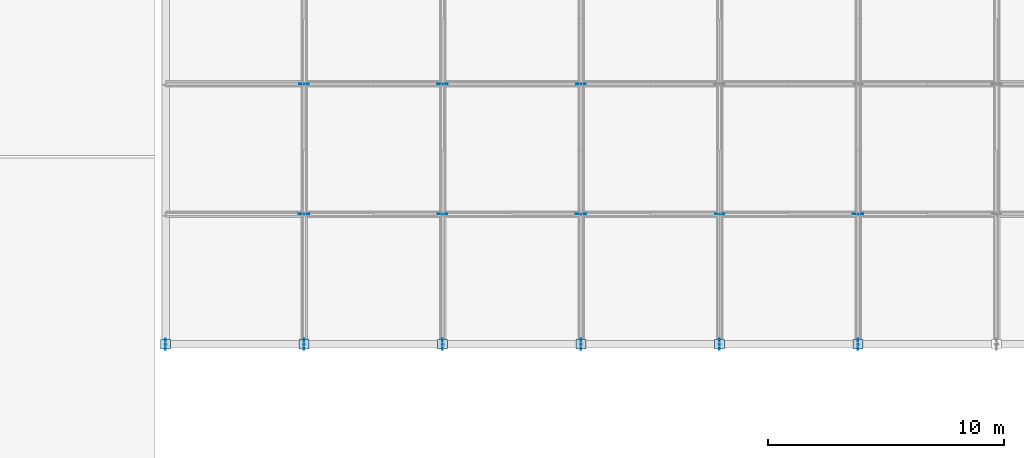
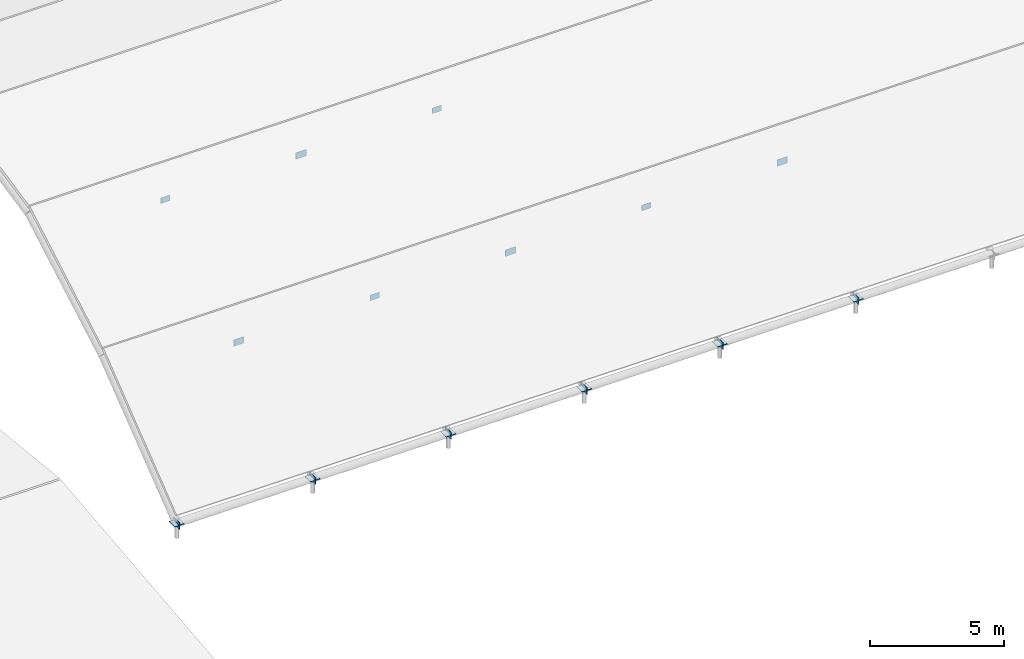
# One storey, part 77 of 82: 20 plates.
"""IFC4 building model written with IfcOpenShell, lengths in metres."""

import ifcopenshell
import ifcopenshell.guid

model = None  # the IFC model being written
_history = None  # IfcOwnerHistory: only IFC2X3 demands one
_inside = {}  # id of a spatial element -> (the spatial element, [elements in it])
_under = {}  # id of a project, library or spatial element -> (it, [spatial elements below it])
_declared = {}  # id of a project -> (the project, [libraries it declares])
_typed = {}  # id of a type object -> (the type object, [elements of that type])
_made_of = {}  # id of a material, layer set ... -> (it, [elements and type objects made of it])


def new_model(schema):
    """Start an empty IFC model of exactly this schema.

    Asked for "IFC4X3", IfcOpenShell would pick the latest addendum, in which some entities
    have other attributes; the version numbers below select the first issue.
    IFC2X3 requires an IfcOwnerHistory on every rooted entity: one is made here for all.
    """
    global model, _history
    if schema == "IFC4X3":
        model = ifcopenshell.file(schema_version=(4, 3, 0, 0))
    else:
        model = ifcopenshell.file(schema=schema)
    _inside.clear()
    _under.clear()
    _declared.clear()
    _typed.clear()
    _made_of.clear()
    _history = None
    if model.schema == "IFC2X3":
        org = make("IfcOrganization", Name="unknown")
        user = make(
            "IfcPersonAndOrganization",
            ThePerson=make("IfcPerson", FamilyName="unknown"),
            TheOrganization=org,
        )
        app = make(
            "IfcApplication",
            ApplicationDeveloper=org,
            Version="unknown",
            ApplicationFullName="unknown",
            ApplicationIdentifier="unknown",
        )
        _history = make(
            "IfcOwnerHistory",
            OwningUser=user,
            OwningApplication=app,
            ChangeAction="ADDED",
            CreationDate=0,
        )
    return model


def make(cls, **values):
    """One entity of the class cls with the attributes given. An attribute that is None is left unset."""
    return model.create_entity(
        cls, **{name: value for name, value in values.items() if value is not None}
    )


def rooted(cls, **values):
    """An entity with a GlobalId (a new one), such as an element, a storey or a relation."""
    return make(cls, GlobalId=ifcopenshell.guid.new(), OwnerHistory=_history, **values)


def si_unit(unit_type, name, prefix=None):
    """IfcSIUnit, for example si_unit("LENGTHUNIT", "METRE", prefix="MILLI")."""
    return make("IfcSIUnit", UnitType=unit_type, Prefix=prefix, Name=name)


def assignment(units):
    """IfcUnitAssignment: the units of a project."""
    return None if units is None else make("IfcUnitAssignment", Units=units)


def point(xyz):
    """IfcCartesianPoint."""
    return None if xyz is None else make("IfcCartesianPoint", Coordinates=xyz)


def direction(xyz):
    """IfcDirection."""
    return None if xyz is None else make("IfcDirection", DirectionRatios=xyz)


def frame(location, z_axis=None, x_axis=None):
    """IfcAxis2Placement3D, a coordinate frame: its origin and axes. An axis left out is left unset."""
    return make(
        "IfcAxis2Placement3D",
        Location=point(location),
        Axis=direction(z_axis),
        RefDirection=direction(x_axis),
    )


def frame_2d(location, x_axis=None):
    """IfcAxis2Placement2D, a coordinate frame in the plane: its origin and x axis."""
    return make(
        "IfcAxis2Placement2D", Location=point(location), RefDirection=direction(x_axis)
    )


def origin():
    """The frame at (0, 0, 0) with its axes left unset."""
    return frame((0.0, 0.0, 0.0))


def origin_2d():
    """The frame at (0, 0) in the plane with its x axis left unset."""
    return frame_2d((0.0, 0.0))


def place(relative_to, where):
    """IfcLocalPlacement: puts the frame where relative to a parent placement (None: the world)."""
    return make(
        "IfcLocalPlacement", PlacementRelTo=relative_to, RelativePlacement=where
    )


def context(
    kind, dimensions, precision=None, world=None, true_north=None, identifier=None
):
    """IfcGeometricRepresentationContext, for example the 3D "Model" context."""
    return make(
        "IfcGeometricRepresentationContext",
        ContextIdentifier=identifier,
        ContextType=kind,
        CoordinateSpaceDimension=dimensions,
        Precision=precision,
        WorldCoordinateSystem=world,
        TrueNorth=true_north,
    )


def subcontext(parent, identifier, kind, view, scale=None):
    """IfcGeometricRepresentationSubContext, for example "Body" below "Model"."""
    return make(
        "IfcGeometricRepresentationSubContext",
        ContextIdentifier=identifier,
        ContextType=kind,
        ParentContext=parent,
        TargetScale=scale,
        TargetView=view,
    )


def project(units=None, contexts=None):
    """IfcProject with its units and contexts."""
    return rooted(
        "IfcProject",
        Name="project",
        RepresentationContexts=contexts,
        UnitsInContext=assignment(units),
    )


def spatial(cls, under=None, at=None, **own):
    """A site, building, storey or space (cls), placed at a placement, below another one or the project."""
    s = rooted(cls, ObjectPlacement=at, **own)
    if under is not None:
        _under.setdefault(under.id(), (under, []))[1].append(s)
    return s


def profile(cls, at=None, kind="AREA", **sizes):
    """A parametric profile (cls). Its sizes go by their IFC names, for example OverallWidth=200.0."""
    return make(cls, ProfileType=kind, Position=at, **sizes)


def rectangle(**sizes):
    """IfcRectangleProfileDef."""
    return profile("IfcRectangleProfileDef", **sizes)


def extrude(swept, where, along, depth):
    """IfcExtrudedAreaSolid: the profile swept, set in the frame where, extruded along a direction by depth."""
    return make(
        "IfcExtrudedAreaSolid",
        SweptArea=swept,
        Position=where,
        ExtrudedDirection=direction(along),
        Depth=depth,
    )


def shape(context_of_items, identifier, shape_type, items):
    """IfcShapeRepresentation: the items that make up one representation, for example the "Body"."""
    return make(
        "IfcShapeRepresentation",
        ContextOfItems=context_of_items,
        RepresentationIdentifier=identifier,
        RepresentationType=shape_type,
        Items=items,
    )


def material(Name=None, Category=None):
    """IfcMaterial."""
    return make("IfcMaterial", Name=Name, Category=Category)


def layer(
    of_material, thickness, ventilated=None, Name=None, Category=None, Priority=None
):
    """IfcMaterialLayer: one layer of a wall or slab, of a material (None: an air gap)."""
    return make(
        "IfcMaterialLayer",
        Material=of_material,
        LayerThickness=thickness,
        IsVentilated=ventilated,
        Name=Name,
        Category=Category,
        Priority=Priority,
    )


def layer_set(layers, Name=None):
    """IfcMaterialLayerSet."""
    return make("IfcMaterialLayerSet", MaterialLayers=layers, LayerSetName=Name)


def made_of(thing, what):
    """Note that an element or type object is made of a material, layer set ...; save() writes the relation."""
    if what is not None:
        _made_of.setdefault(what.id(), (what, []))[1].append(thing)
    return thing


def type_object(cls, material=None, **own):
    """A type object (cls), such as IfcWallType, which elements share."""
    return made_of(rooted(cls, **own), material)


def element(
    cls,
    number,
    at=None,
    inside=None,
    cuts=None,
    type_object=None,
    material=None,
    context=None,
    identifier="Body",
    shape_type=None,
    held_by="IfcProductDefinitionShape",
    body=None,
    shapes=None,
    **own,
):
    """One element of the class cls, such as IfcWall. Its Tag is "e" and its number.

    at: its placement. inside: the storey or other place that contains it. cuts: it is an
    opening in that element (IfcRelVoidsElement). A single representation is given by context,
    identifier, shape_type and body (its items); several are given by shapes. held_by: the class
    of the entity that holds the representations. save() writes the other relations.
    """
    e = rooted(cls, Tag="e%d" % number, ObjectPlacement=at, **own)
    if body is not None:
        shapes = [shape(context, identifier, shape_type, body)]
    if shapes is not None:
        e.Representation = make(held_by, Representations=shapes)
    if inside is not None:
        _inside.setdefault(inside.id(), (inside, []))[1].append(e)
    if cuts is not None:
        rooted(
            "IfcRelVoidsElement", RelatingBuildingElement=cuts, RelatedOpeningElement=e
        )
    if type_object is not None:
        _typed.setdefault(type_object.id(), (type_object, []))[1].append(e)
    return made_of(e, material)


def aggregate(whole, parts):
    """IfcRelAggregates: a whole, such as a stair, and the parts it consists of."""
    return rooted("IfcRelAggregates", RelatingObject=whole, RelatedObjects=parts)


def save(model, path):
    """Write the relations noted so far, then the file.

    IfcRelAggregates (storeys below a building ...), IfcRelContainedInSpatialStructure (elements
    in a storey), IfcRelDefinesByType, IfcRelAssociatesMaterial and IfcRelDeclares: one each for
    every whole, place, type object, material and project.
    """
    for whole, parts in _under.values():
        aggregate(whole, parts)
    for where, things in _inside.values():
        rooted(
            "IfcRelContainedInSpatialStructure",
            RelatedElements=things,
            RelatingStructure=where,
        )
    for kind, things in _typed.values():
        rooted("IfcRelDefinesByType", RelatedObjects=things, RelatingType=kind)
    for what, things in _made_of.values():
        rooted("IfcRelAssociatesMaterial", RelatedObjects=things, RelatingMaterial=what)
    for by, libraries in _declared.values():
        rooted("IfcRelDeclares", RelatingContext=by, RelatedDefinitions=libraries)
    model.write(path)


model = new_model("IFC4")

# Units and contexts
model_context = context("Model", 3, precision=1e-05, world=origin(), true_north=direction((0.0, 1.0)))
body_context = subcontext(model_context, "Body", "Model", "MODEL_VIEW")
ifc_project = project(units=[si_unit("LENGTHUNIT", "METRE"), si_unit("AREAUNIT", "SQUARE_METRE"), si_unit("VOLUMEUNIT", "CUBIC_METRE"), si_unit("PLANEANGLEUNIT", "RADIAN"), si_unit("MASSUNIT", "GRAM", prefix="KILO")], contexts=[model_context])

# Site, building, storey
site_placement = place(None, origin())
site = spatial("IfcSite", under=ifc_project, at=site_placement, CompositionType="ELEMENT")
building_placement = place(site_placement, origin())
building = spatial("IfcBuilding", under=site, at=building_placement, Name="Bramfleet General Hospital", CompositionType="ELEMENT")
storey_placement = place(building_placement, frame((0.0, 0.0, 34.199951171875)))
storey = spatial("IfcBuildingStorey", under=building, at=storey_placement, Name="Roof", CompositionType="ELEMENT", Elevation=34.199951171875)

# Plates
ifc_material = material(Name="Steel S355", Category="steel")
ifc_layer_1 = layer(ifc_material, 0.02490234375, Name="PL-BP-420")
ifc_layer_set_1 = layer_set([ifc_layer_1], Name="Steel S355")
plate_type_1 = type_object("IfcPlateType", Name="PL-BP-420", PredefinedType="USERDEFINED", material=ifc_layer_set_1)
for number, where, z_axis, x_axis, name in (
    (1, (50.85009765625, 17.25, -19.449951171875), (0.0, 0.0, 1.0), (1.0, 0.0, 0.0), "Space Frame Bearing Base Plate 0-0"),
    (2, (56.721435546875, 17.25, -19.449951171875), (0.0, 0.0, 1.0), (1.0, 0.0, 0.0), "Space Frame Bearing Base Plate 1-0"),
    (3, (62.5927734375, 17.25, -19.449951171875), (0.0, 0.0, 1.0), (1.0, 0.0, 0.0), "Space Frame Bearing Base Plate 2-0"),
    (4, (68.46435546875, 17.25, -19.449951171875), (0.0, 0.0, 1.0), (1.0, 0.0, 0.0), "Space Frame Bearing Base Plate 3-0"),
    (5, (74.335693359375, 17.25, -19.449951171875), (0.0, 0.0, 1.0), (1.0, 0.0, 0.0), "Space Frame Bearing Base Plate 4-0"),
    (6, (80.20703125, 17.25, -19.449951171875), (0.0, 0.0, 1.0), (1.0, 0.0, 0.0), "Space Frame Bearing Base Plate 5-0"),
):
    element("IfcPlate", number, at=place(storey_placement, frame(where, z_axis=z_axis, x_axis=x_axis)), inside=storey, type_object=plate_type_1, Name=name, ObjectType="Base plate", PredefinedType="USERDEFINED", context=body_context, shape_type="SweptSolid", body=[
        extrude(rectangle(XDim=0.419921875, YDim=0.419921875, at=origin_2d()), origin(), (0.0, 0.0, 1.0), 0.02490234375),
    ])
ifc_layer_2 = layer(ifc_material, 0.01806640625, Name="PL-GP-480")
ifc_layer_set_2 = layer_set([ifc_layer_2], Name="Steel S355")
plate_type_2 = type_object("IfcPlateType", Name="PL-GP-480", PredefinedType="USERDEFINED", material=ifc_layer_set_2)
for number, where, z_axis, x_axis, name in (
    (7, (50.85009765625, 17.25, -19.60986328125), (0.0, 0.0, 1.0), (0.0, 1.0, 0.0), "Space Frame Arch Gusset Plate 0-0"),
    (8, (56.721435546875, 17.25, -19.60986328125), (0.0, 0.0, 1.0), (0.0, 1.0, 0.0), "Space Frame Arch Gusset Plate 1-0"),
    (9, (62.5927734375, 17.25, -19.60986328125), (0.0, 0.0, 1.0), (0.0, 1.0, 0.0), "Space Frame Arch Gusset Plate 2-0"),
    (10, (68.46435546875, 17.25, -19.60986328125), (0.0, 0.0, 1.0), (0.0, 1.0, 0.0), "Space Frame Arch Gusset Plate 3-0"),
    (11, (74.335693359375, 17.25, -19.60986328125), (0.0, 0.0, 1.0), (0.0, 1.0, 0.0), "Space Frame Arch Gusset Plate 4-0"),
    (12, (80.20703125, 17.25, -19.60986328125), (0.0, 0.0, 1.0), (0.0, 1.0, 0.0), "Space Frame Arch Gusset Plate 5-0"),
):
    element("IfcPlate", number, at=place(storey_placement, frame(where, z_axis=z_axis, x_axis=x_axis)), inside=storey, type_object=plate_type_2, Name=name, ObjectType="Gusset plate", PredefinedType="USERDEFINED", context=body_context, shape_type="SweptSolid", body=[
        extrude(rectangle(XDim=0.47998046875, YDim=0.01806640625, at=origin_2d()), origin(), (0.0, 0.0, 1.0), 0.320068359375),
    ])
ifc_layer_3 = layer(ifc_material, 0.013916015625, Name="PL-SP-390")
ifc_layer_set_3 = layer_set([ifc_layer_3], Name="Steel S355")
plate_type_3 = type_object("IfcPlateType", Name="PL-SP-390", PredefinedType="SHEET", material=ifc_layer_set_3)
for number, where, z_axis, x_axis, name in (
    (13, (56.721435546875, 28.283447265625, -13.5322265625), (0.0, 0.0, 1.0), (1.0, 0.0, 0.0), "Space Frame Node Splice Plate 1-2"),
    (14, (62.5927734375, 22.7666015625, -16.68017578125), (0.0, 0.0, 1.0), (1.0, 0.0, 0.0), "Space Frame Node Splice Plate 2-1"),
    (15, (68.46435546875, 28.283447265625, -13.5322265625), (0.0, 0.0, 1.0), (1.0, 0.0, 0.0), "Space Frame Node Splice Plate 3-2"),
    (16, (74.335693359375, 22.7666015625, -16.68017578125), (0.0, 0.0, 1.0), (1.0, 0.0, 0.0), "Space Frame Node Splice Plate 4-1"),
):
    element("IfcPlate", number, at=place(storey_placement, frame(where, z_axis=z_axis, x_axis=x_axis)), inside=storey, type_object=plate_type_3, Name=name, PredefinedType="SHEET", context=body_context, shape_type="SweptSolid", body=[
        extrude(rectangle(XDim=0.389892578125, YDim=0.013916015625, at=origin_2d()), origin(), (0.0, 0.0, 1.0), 0.260009765625),
    ])
ifc_layer_4 = layer(ifc_material, 0.01611328125, Name="PL-SP-450")
ifc_layer_set_4 = layer_set([ifc_layer_4], Name="Steel S355")
plate_type_4 = type_object("IfcPlateType", Name="PL-SP-450", PredefinedType="SHEET", material=ifc_layer_set_4)
for number, where, z_axis, x_axis, name in (
    (17, (56.721435546875, 22.7666015625, -16.7001953125), (0.0, 0.0, 1.0), (1.0, 0.0, 0.0), "Space Frame Node Splice Plate 1-1"),
    (18, (62.5927734375, 28.283447265625, -13.55224609375), (0.0, 0.0, 1.0), (1.0, 0.0, 0.0), "Space Frame Node Splice Plate 2-2"),
    (19, (68.46435546875, 22.7666015625, -16.7001953125), (0.0, 0.0, 1.0), (1.0, 0.0, 0.0), "Space Frame Node Splice Plate 3-1"),
    (20, (80.20703125, 22.7666015625, -16.7001953125), (0.0, 0.0, 1.0), (1.0, 0.0, 0.0), "Space Frame Node Splice Plate 5-1"),
):
    element("IfcPlate", number, at=place(storey_placement, frame(where, z_axis=z_axis, x_axis=x_axis)), inside=storey, type_object=plate_type_4, Name=name, PredefinedType="SHEET", context=body_context, shape_type="SweptSolid", body=[
        extrude(rectangle(XDim=0.449951171875, YDim=0.01611328125, at=origin_2d()), origin(), (0.0, 0.0, 1.0), 0.300048828125),
    ])

save(model, "model.ifc")
